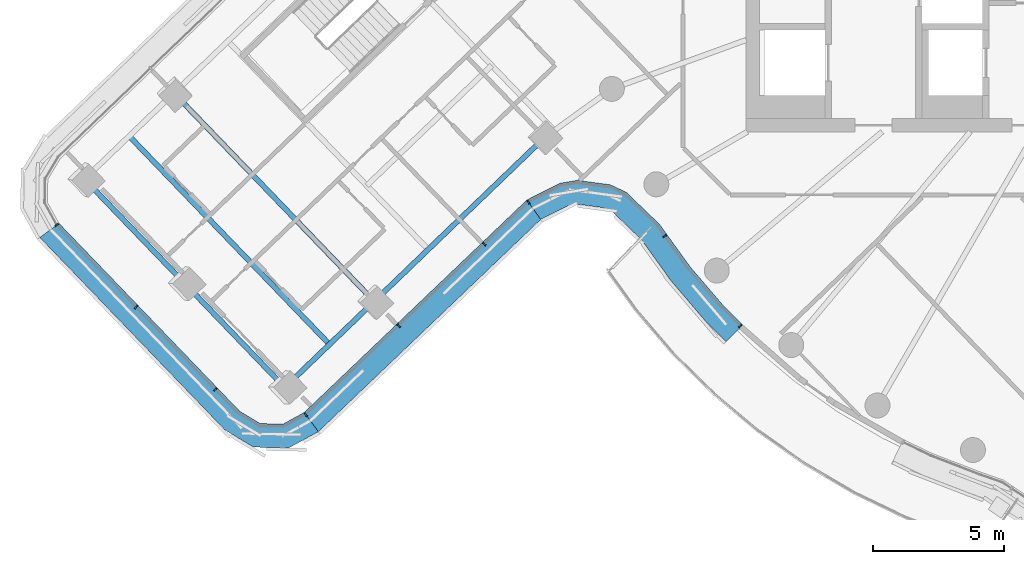
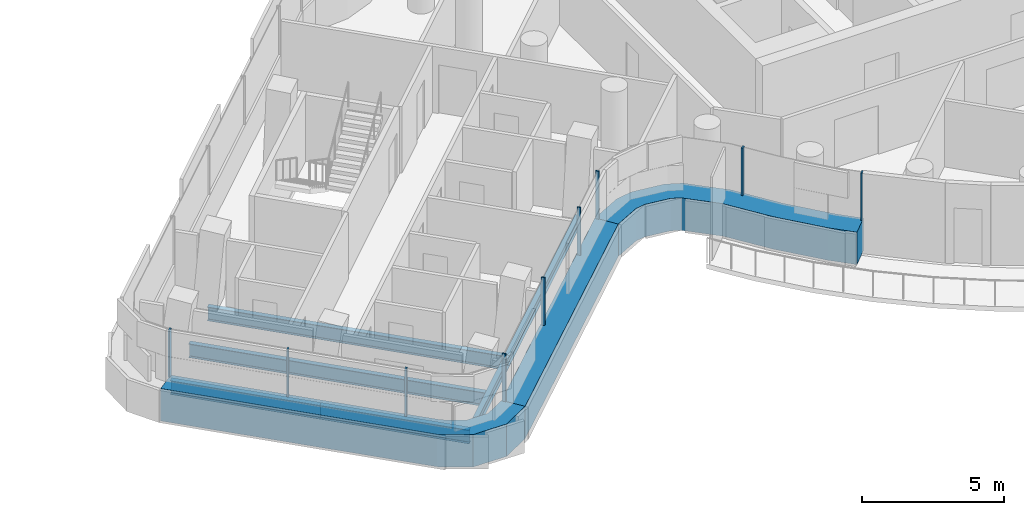
# One storey, part 3 of 34: 12 members, 6 beams, 3 elements without a shape of their own.
"""IFC4 building model written with IfcOpenShell, lengths in metres."""

from ifc_helpers import new_model, si_unit, direction, frame, origin, origin_2d, place, context, subcontext, project, spatial, polyline, rectangle, i_section, outline, extrude, material, layer, layer_set, material_profile, profile_set, type_object, element, aggregate, save


model = new_model("IFC4")

# Units and contexts
model_context = context("Model", 3, precision=1e-05, world=origin(), true_north=direction((0.0, 1.0)))
body_context = subcontext(model_context, "Body", "Model", "MODEL_VIEW")
ifc_project = project(units=[si_unit("LENGTHUNIT", "METRE"), si_unit("AREAUNIT", "SQUARE_METRE"), si_unit("VOLUMEUNIT", "CUBIC_METRE"), si_unit("PLANEANGLEUNIT", "RADIAN"), si_unit("MASSUNIT", "GRAM", prefix="KILO")], contexts=[model_context])

# Site, building, storey
site_placement = place(None, origin())
site = spatial("IfcSite", under=ifc_project, at=site_placement, CompositionType="ELEMENT")
building_placement = place(site_placement, origin())
building = spatial("IfcBuilding", under=site, at=building_placement, Name="Tamarind Cross Interchange Tower", CompositionType="ELEMENT")
storey_placement = place(building_placement, frame((0.0, 0.0, 193.300048828125)))
storey = spatial("IfcBuildingStorey", under=building, at=storey_placement, Name="L48", CompositionType="ELEMENT", Elevation=193.300048828125)

# Beams
ifc_material_1 = material(Name="Steel Q355B", Category="steel")
ifc_material_profile_1 = material_profile(ifc_material_1, i_section(OverallWidth=0.198974609375, OverallDepth=0.446044921875, WebThickness=0.008056640625, FlangeThickness=0.011962890625, FilletRadius=0.012939453125, at=origin_2d()), Name="HN 446x199x8x12")
ifc_profile_set_1 = profile_set([ifc_material_profile_1], Name="Steel Q355B")
beam_type_1 = type_object("IfcBeamType", Name="Composite beam HN 446x199x8x12 Q355B", PredefinedType="BEAM", material=ifc_profile_set_1)
beam_1_placement = place(storey_placement, frame((-34.062255859375, -19.231201171875, -0.363037109375), z_axis=(0.720743692537, 0.693201651519, 0.0), x_axis=(-0.693201651519, 0.720743692537, 0.0)))
element("IfcBeam", 1, at=beam_1_placement, inside=storey, type_object=beam_type_1, Name="Beam W-edgeep2", PredefinedType="BEAM", context=body_context, shape_type="SweptSolid", body=[
    extrude(i_section(OverallWidth=0.198974609375, OverallDepth=0.446044921875, WebThickness=0.008056640625, FlangeThickness=0.011962890625, FilletRadius=0.012939453125, at=origin_2d()), origin(), (0.0, 0.0, 1.0), 4.724609375),
])
beam_2_placement = place(storey_placement, frame((-30.656982421875, -15.9560546875, -0.363037109375), z_axis=(0.720779372618, 0.693164551899, 0.0), x_axis=(-0.693164551899, 0.720779372618, 0.0)))
element("IfcBeam", 2, at=beam_2_placement, inside=storey, type_object=beam_type_1, Name="Beam W-edgeep3", PredefinedType="BEAM", context=body_context, shape_type="SweptSolid", body=[
    extrude(i_section(OverallWidth=0.198974609375, OverallDepth=0.446044921875, WebThickness=0.008056640625, FlangeThickness=0.011962890625, FilletRadius=0.012939453125, at=origin_2d()), origin(), (0.0, 0.0, 1.0), 9.0),
])
ifc_material_profile_2 = material_profile(ifc_material_1, i_section(OverallWidth=0.198974609375, OverallDepth=0.595947265625, WebThickness=0.010009765625, FlangeThickness=0.014892578125, FilletRadius=0.012939453125, at=origin_2d()), Name="HN 596x199x10x15")
ifc_profile_set_2 = profile_set([ifc_material_profile_2], Name="Steel Q355B")
beam_type_2 = type_object("IfcBeamType", Name="Composite beam HN 596x199x10x15 Q355B", PredefinedType="BEAM", material=ifc_profile_set_2)
for number, where, z_axis, x_axis, name in (
    (3, (-41.687255859375, -11.302490234375, -0.43798828125), (0.693167261449, -0.720776766867, 0.0), (0.720776766867, 0.693167261449, 0.0), "Beam W-tip0"),
    (4, (-37.874755859375, -15.266845703125, -0.43798828125), (0.693167261449, -0.720776766867, 0.0), (0.720776766867, 0.693167261449, 0.0), "Beam W-tip1"),
):
    element("IfcBeam", number, at=place(storey_placement, frame(where, z_axis=z_axis, x_axis=x_axis)), inside=storey, type_object=beam_type_2, Name=name, PredefinedType="BEAM", context=body_context, shape_type="SweptSolid", body=[
        extrude(i_section(OverallWidth=0.198974609375, OverallDepth=0.595947265625, WebThickness=0.010009765625, FlangeThickness=0.014892578125, FilletRadius=0.012939453125, at=origin_2d()), origin(), (0.0, 0.0, 1.0), 5.5),
    ])
for number, where, z_axis, x_axis, name in (
    (5, (-38.28173828125, -8.027587890625, -0.43798828125), (0.693166819765, -0.720777191632, 0.0), (0.720777191632, 0.693166819765, 0.0), "Beam W-x393"),
    (6, (-39.984619140625, -9.6650390625, -0.43798828125), (0.693178350153, -0.720766102754, 0.0), (0.720766102754, 0.693178350153, 0.0), "Beam W-x417"),
):
    element("IfcBeam", number, at=place(storey_placement, frame(where, z_axis=z_axis, x_axis=x_axis)), inside=storey, type_object=beam_type_2, Name=name, PredefinedType="BEAM", context=body_context, shape_type="SweptSolid", body=[
        extrude(i_section(OverallWidth=0.198974609375, OverallDepth=0.595947265625, WebThickness=0.010009765625, FlangeThickness=0.014892578125, FilletRadius=0.012939453125, at=origin_2d()), origin(), (0.0, 0.0, 1.0), 11.0),
    ])

# Curtain wall, member
ifc_material_2 = material(Name="Aluminium 6063-T6", Category="aluminium")
ifc_layer = layer(ifc_material_2, 0.139892578125)
ifc_layer_set = layer_set([ifc_layer], Name="Aluminium 6063-T6")
curtain_wall_type = type_object("IfcCurtainWallType", Name="Hotel curtain wall, 4.5 m bays", PredefinedType="NOTDEFINED", material=ifc_layer_set)
curtain_wall_1_placement = place(storey_placement, origin())
curtain_wall_1 = element("IfcCurtainWall", 7, at=curtain_wall_1_placement, inside=storey, type_object=curtain_wall_type, Name="CWS-L48-00", PredefinedType="NOTDEFINED")
ifc_material_3 = material(Name="Aluminium and insulated spandrel panel", Category="aluminium")
member_type_1 = type_object("IfcMemberType", Name="Floor-edge blade transom", PredefinedType="USERDEFINED", material=ifc_material_3)
member_1_placement = place(storey_placement, origin())
member_1 = element("IfcMember", 8, at=member_1_placement, type_object=member_type_1, Name="CWT-L48-00", ObjectType="TRANSOM", PredefinedType="USERDEFINED", context=body_context, shape_type="SweptSolid", body=[
    extrude(outline(polyline([(-42.657470703125, -12.984130859375), (-35.780517578125, -20.135009765625), (-34.996826171875, -20.608154296875), (-34.12255859375, -20.625244140625), (-33.320556640625, -20.1826171875), (-32.783447265625, -20.914306640625), (-33.89892578125, -21.52978515625), (-35.255615234375, -21.503173828125), (-36.34716796875, -20.84423828125), (-43.388427734375, -13.522705078125), (-42.657470703125, -12.984130859375)])), origin(), (0.0, 0.0, 1.0), 1.39990234375),
])

curtain_wall_2_placement = place(storey_placement, origin())
curtain_wall_2 = element("IfcCurtainWall", 9, at=curtain_wall_2_placement, inside=storey, type_object=curtain_wall_type, Name="CWS-L48-01", PredefinedType="NOTDEFINED")
member_2_placement = place(storey_placement, origin())
member_2 = element("IfcMember", 10, at=member_2_placement, type_object=member_type_1, Name="CWT-L48-01", ObjectType="TRANSOM", PredefinedType="USERDEFINED", context=body_context, shape_type="SweptSolid", body=[
    extrude(outline(polyline([(-33.320556640625, -20.1826171875), (-24.843994140625, -12.092529296875), (-24.31982421875, -12.836181640625), (-32.783447265625, -20.914306640625), (-33.320556640625, -20.1826171875)])), origin(), (0.0, 0.0, 1.0), 1.39990234375),
])

curtain_wall_3_placement = place(storey_placement, origin())
curtain_wall_3 = element("IfcCurtainWall", 11, at=curtain_wall_3_placement, inside=storey, type_object=curtain_wall_type, Name="CWS-L48-02", PredefinedType="NOTDEFINED")
member_3_placement = place(storey_placement, origin())
member_3 = element("IfcMember", 12, at=member_3_placement, type_object=member_type_1, Name="CWT-L48-02-0", ObjectType="TRANSOM", PredefinedType="USERDEFINED", context=body_context, shape_type="SweptSolid", body=[
    extrude(outline(polyline([(-24.843994140625, -12.092529296875), (-23.584228515625, -11.458984375), (-22.925537109375, -11.3486328125), (-21.677978515625, -11.516357421875), (-21.0673828125, -11.799072265625), (-19.804443359375, -13.013427734375), (-18.636474609375, -14.634521484375), (-17.3642578125, -16.12353515625), (-16.6337890625, -16.84765625), (-17.26611328125, -17.48828125), (-18.0244140625, -16.736572265625), (-19.344970703125, -15.19091796875), (-20.487060546875, -13.605712890625), (-21.58251953125, -12.552490234375), (-21.932861328125, -12.39013671875), (-22.910888671875, -12.258544921875), (-23.301513671875, -12.32421875), (-24.31982421875, -12.836181640625), (-24.843994140625, -12.092529296875)])), origin(), (0.0, 0.0, 1.0), 1.39990234375),
])

# Member
ifc_material_profile_3 = material_profile(ifc_material_2, rectangle(XDim=0.06005859375, YDim=0.139892578125, at=origin_2d()), Name="Mullion CW2")
ifc_profile_set_3 = profile_set([ifc_material_profile_3], Name="Aluminium 6063-T6")
member_type_2 = type_object("IfcMemberType", Name="Mullion CW2", PredefinedType="MULLION", material=ifc_profile_set_3)
member_4_placement = place(storey_placement, frame((-42.73876953125, -13.0439453125, 1.39990234375), z_axis=(0.0, 0.0, 1.0), x_axis=(0.593160371945, -0.805084326735, 0.0)))
member_4 = element("IfcMember", 13, at=member_4_placement, type_object=member_type_2, Name="CWM-L48-00-00", PredefinedType="MULLION", context=body_context, shape_type="SweptSolid", body=[
    extrude(rectangle(XDim=0.06005859375, YDim=0.139892578125, at=origin_2d()), origin(), (0.0, 0.0, 1.0), 2.06005859375),
])

member_5_placement = place(storey_placement, frame((-39.7265625, -16.17626953125, 1.39990234375), z_axis=(0.0, 0.0, 1.0), x_axis=(0.69317039432, -0.720773753988, 0.0)))
member_5 = element("IfcMember", 14, at=member_5_placement, type_object=member_type_2, Name="CWM-L48-00-01", PredefinedType="MULLION", context=body_context, shape_type="SweptSolid", body=[
    extrude(rectangle(XDim=0.06005859375, YDim=0.139892578125, at=origin_2d()), origin(), (0.0, 0.0, 1.0), 2.06005859375),
])

member_6_placement = place(storey_placement, frame((-36.714111328125, -19.308349609375, 1.39990234375), z_axis=(0.0, 0.0, 1.0), x_axis=(0.69317039432, -0.720773753988, 0.0)))
member_6 = element("IfcMember", 15, at=member_6_placement, type_object=member_type_2, Name="CWM-L48-00-02", PredefinedType="MULLION", context=body_context, shape_type="SweptSolid", body=[
    extrude(rectangle(XDim=0.06005859375, YDim=0.139892578125, at=origin_2d()), origin(), (0.0, 0.0, 1.0), 2.06005859375),
])

aggregate(curtain_wall_1, [member_4, member_5, member_6, member_1])

member_7_placement = place(storey_placement, frame((-33.2607421875, -20.263916015625, 1.39990234375), z_axis=(0.0, 0.0, 1.0), x_axis=(0.80620666644, 0.591634017774, 0.0)))
member_7 = element("IfcMember", 16, at=member_7_placement, type_object=member_type_2, Name="CWM-L48-01-00", PredefinedType="MULLION", context=body_context, shape_type="SweptSolid", body=[
    extrude(rectangle(XDim=0.06005859375, YDim=0.139892578125, at=origin_2d()), origin(), (0.0, 0.0, 1.0), 2.06005859375),
])

member_8_placement = place(storey_placement, frame((-29.72265625, -16.886962890625, 1.39990234375), z_axis=(0.0, 0.0, 1.0), x_axis=(0.723395096395, 0.690434308615, 0.0)))
member_8 = element("IfcMember", 17, at=member_8_placement, type_object=member_type_2, Name="CWM-L48-01-01", PredefinedType="MULLION", context=body_context, shape_type="SweptSolid", body=[
    extrude(rectangle(XDim=0.06005859375, YDim=0.139892578125, at=origin_2d()), origin(), (0.0, 0.0, 1.0), 2.06005859375),
])

member_9_placement = place(storey_placement, frame((-26.46630859375, -13.779052734375, 1.39990234375), z_axis=(0.0, 0.0, 1.0), x_axis=(0.723395096395, 0.690434308615, 0.0)))
member_9 = element("IfcMember", 18, at=member_9_placement, type_object=member_type_2, Name="CWM-L48-01-02", PredefinedType="MULLION", context=body_context, shape_type="SweptSolid", body=[
    extrude(rectangle(XDim=0.06005859375, YDim=0.139892578125, at=origin_2d()), origin(), (0.0, 0.0, 1.0), 2.06005859375),
])

aggregate(curtain_wall_2, [member_7, member_8, member_9, member_2])

member_10_placement = place(storey_placement, frame((-24.785888671875, -12.17529296875, 1.39990234375), z_axis=(0.0, 0.0, 1.0), x_axis=(0.81732556268, 0.576176122891, 0.0)))
member_10 = element("IfcMember", 19, at=member_10_placement, type_object=member_type_2, Name="CWM-L48-02-00", PredefinedType="MULLION", context=body_context, shape_type="SweptSolid", body=[
    extrude(rectangle(XDim=0.06005859375, YDim=0.139892578125, at=origin_2d()), origin(), (0.0, 0.0, 1.0), 2.06005859375),
])

member_11_placement = place(storey_placement, frame((-19.60205078125, -13.46533203125, 1.39990234375), z_axis=(0.0, 0.0, 1.0), x_axis=(0.584573890505, -0.811340475102, 0.0)))
member_11 = element("IfcMember", 20, at=member_11_placement, type_object=member_type_2, Name="CWM-L48-02-01", PredefinedType="MULLION", context=body_context, shape_type="SweptSolid", body=[
    extrude(rectangle(XDim=0.06005859375, YDim=0.139892578125, at=origin_2d()), origin(), (0.0, 0.0, 1.0), 2.06005859375),
])

member_12_placement = place(storey_placement, frame((-16.72509765625, -16.89794921875, 1.39990234375), z_axis=(0.0, 0.0, 1.0), x_axis=(0.710143317658, -0.704057148523, 0.0)))
member_12 = element("IfcMember", 21, at=member_12_placement, type_object=member_type_2, Name="CWM-L48-02-02", PredefinedType="MULLION", context=body_context, shape_type="SweptSolid", body=[
    extrude(rectangle(XDim=0.06005859375, YDim=0.139892578125, at=origin_2d()), origin(), (0.0, 0.0, 1.0), 2.06005859375),
])

aggregate(curtain_wall_3, [member_10, member_11, member_12, member_3])

save(model, "model.ifc")
